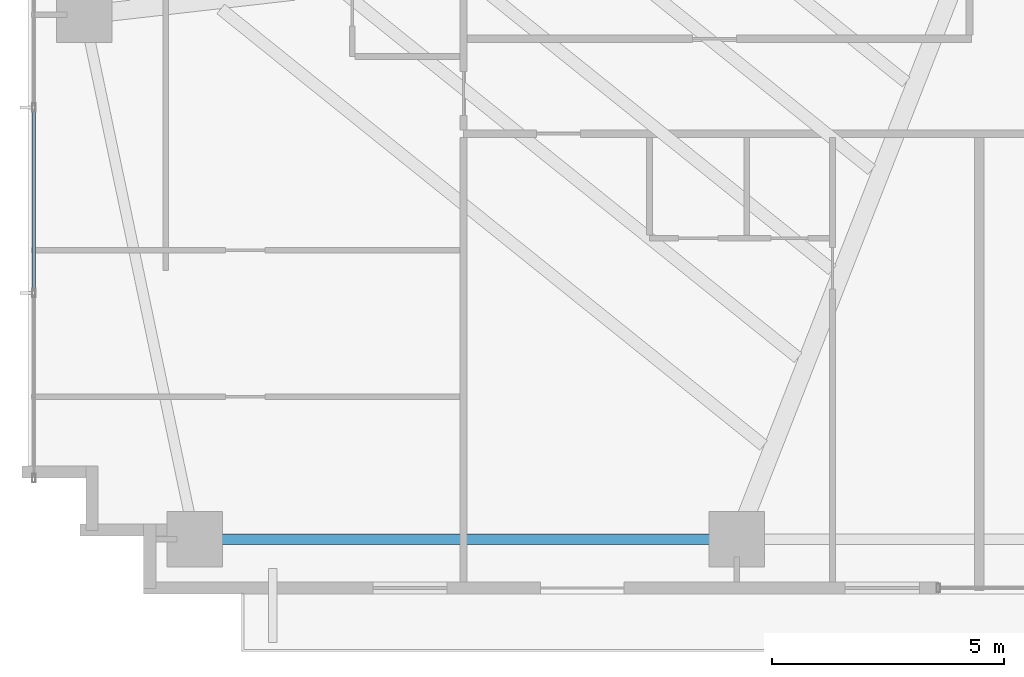
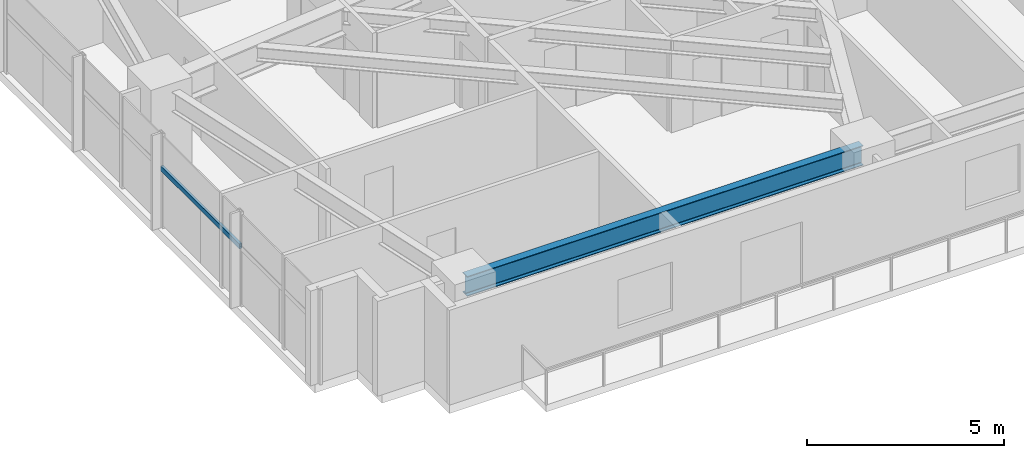
# One storey, part 3 of 25: 1 beam, 1 member, 1 element without a shape of its own.
"""IFC4 building model written with IfcOpenShell, lengths in metres."""

import ifcopenshell
import ifcopenshell.guid

model = None  # the IFC model being written
_history = None  # IfcOwnerHistory: only IFC2X3 demands one
_inside = {}  # id of a spatial element -> (the spatial element, [elements in it])
_under = {}  # id of a project, library or spatial element -> (it, [spatial elements below it])
_declared = {}  # id of a project -> (the project, [libraries it declares])
_typed = {}  # id of a type object -> (the type object, [elements of that type])
_made_of = {}  # id of a material, layer set ... -> (it, [elements and type objects made of it])


def new_model(schema):
    """Start an empty IFC model of exactly this schema.

    Asked for "IFC4X3", IfcOpenShell would pick the latest addendum, in which some entities
    have other attributes; the version numbers below select the first issue.
    IFC2X3 requires an IfcOwnerHistory on every rooted entity: one is made here for all.
    """
    global model, _history
    if schema == "IFC4X3":
        model = ifcopenshell.file(schema_version=(4, 3, 0, 0))
    else:
        model = ifcopenshell.file(schema=schema)
    _inside.clear()
    _under.clear()
    _declared.clear()
    _typed.clear()
    _made_of.clear()
    _history = None
    if model.schema == "IFC2X3":
        org = make("IfcOrganization", Name="unknown")
        user = make(
            "IfcPersonAndOrganization",
            ThePerson=make("IfcPerson", FamilyName="unknown"),
            TheOrganization=org,
        )
        app = make(
            "IfcApplication",
            ApplicationDeveloper=org,
            Version="unknown",
            ApplicationFullName="unknown",
            ApplicationIdentifier="unknown",
        )
        _history = make(
            "IfcOwnerHistory",
            OwningUser=user,
            OwningApplication=app,
            ChangeAction="ADDED",
            CreationDate=0,
        )
    return model


def make(cls, **values):
    """One entity of the class cls with the attributes given. An attribute that is None is left unset."""
    return model.create_entity(
        cls, **{name: value for name, value in values.items() if value is not None}
    )


def rooted(cls, **values):
    """An entity with a GlobalId (a new one), such as an element, a storey or a relation."""
    return make(cls, GlobalId=ifcopenshell.guid.new(), OwnerHistory=_history, **values)


def si_unit(unit_type, name, prefix=None):
    """IfcSIUnit, for example si_unit("LENGTHUNIT", "METRE", prefix="MILLI")."""
    return make("IfcSIUnit", UnitType=unit_type, Prefix=prefix, Name=name)


def assignment(units):
    """IfcUnitAssignment: the units of a project."""
    return None if units is None else make("IfcUnitAssignment", Units=units)


def point(xyz):
    """IfcCartesianPoint."""
    return None if xyz is None else make("IfcCartesianPoint", Coordinates=xyz)


def direction(xyz):
    """IfcDirection."""
    return None if xyz is None else make("IfcDirection", DirectionRatios=xyz)


def frame(location, z_axis=None, x_axis=None):
    """IfcAxis2Placement3D, a coordinate frame: its origin and axes. An axis left out is left unset."""
    return make(
        "IfcAxis2Placement3D",
        Location=point(location),
        Axis=direction(z_axis),
        RefDirection=direction(x_axis),
    )


def frame_2d(location, x_axis=None):
    """IfcAxis2Placement2D, a coordinate frame in the plane: its origin and x axis."""
    return make(
        "IfcAxis2Placement2D", Location=point(location), RefDirection=direction(x_axis)
    )


def origin():
    """The frame at (0, 0, 0) with its axes left unset."""
    return frame((0.0, 0.0, 0.0))


def origin_2d():
    """The frame at (0, 0) in the plane with its x axis left unset."""
    return frame_2d((0.0, 0.0))


def place(relative_to, where):
    """IfcLocalPlacement: puts the frame where relative to a parent placement (None: the world)."""
    return make(
        "IfcLocalPlacement", PlacementRelTo=relative_to, RelativePlacement=where
    )


def context(
    kind, dimensions, precision=None, world=None, true_north=None, identifier=None
):
    """IfcGeometricRepresentationContext, for example the 3D "Model" context."""
    return make(
        "IfcGeometricRepresentationContext",
        ContextIdentifier=identifier,
        ContextType=kind,
        CoordinateSpaceDimension=dimensions,
        Precision=precision,
        WorldCoordinateSystem=world,
        TrueNorth=true_north,
    )


def subcontext(parent, identifier, kind, view, scale=None):
    """IfcGeometricRepresentationSubContext, for example "Body" below "Model"."""
    return make(
        "IfcGeometricRepresentationSubContext",
        ContextIdentifier=identifier,
        ContextType=kind,
        ParentContext=parent,
        TargetScale=scale,
        TargetView=view,
    )


def project(units=None, contexts=None):
    """IfcProject with its units and contexts."""
    return rooted(
        "IfcProject",
        Name="project",
        RepresentationContexts=contexts,
        UnitsInContext=assignment(units),
    )


def spatial(cls, under=None, at=None, **own):
    """A site, building, storey or space (cls), placed at a placement, below another one or the project."""
    s = rooted(cls, ObjectPlacement=at, **own)
    if under is not None:
        _under.setdefault(under.id(), (under, []))[1].append(s)
    return s


def profile(cls, at=None, kind="AREA", **sizes):
    """A parametric profile (cls). Its sizes go by their IFC names, for example OverallWidth=200.0."""
    return make(cls, ProfileType=kind, Position=at, **sizes)


def hollow_rectangle(**sizes):
    """IfcRectangleHollowProfileDef."""
    return profile("IfcRectangleHollowProfileDef", **sizes)


def i_section(**sizes):
    """IfcIShapeProfileDef."""
    return profile("IfcIShapeProfileDef", **sizes)


def extrude(swept, where, along, depth):
    """IfcExtrudedAreaSolid: the profile swept, set in the frame where, extruded along a direction by depth."""
    return make(
        "IfcExtrudedAreaSolid",
        SweptArea=swept,
        Position=where,
        ExtrudedDirection=direction(along),
        Depth=depth,
    )


def shape(context_of_items, identifier, shape_type, items):
    """IfcShapeRepresentation: the items that make up one representation, for example the "Body"."""
    return make(
        "IfcShapeRepresentation",
        ContextOfItems=context_of_items,
        RepresentationIdentifier=identifier,
        RepresentationType=shape_type,
        Items=items,
    )


def source(mapping_origin, context_of_items, identifier, shape_type, items):
    """IfcRepresentationMap: a shape defined once, which mapped items show again and again."""
    return make(
        "IfcRepresentationMap",
        MappingOrigin=mapping_origin,
        MappedRepresentation=shape(context_of_items, identifier, shape_type, items),
    )


def transform(
    local_origin,
    x_axis=None,
    y_axis=None,
    z_axis=None,
    scale=None,
    scale2=None,
    scale3=None,
    uniform=True,
):
    """IfcCartesianTransformationOperator3D, or its non-uniform kind. x_axis, y_axis, z_axis: its Axis1, 2, 3."""
    if uniform:
        return make(
            "IfcCartesianTransformationOperator3D",
            Axis1=direction(x_axis),
            Axis2=direction(y_axis),
            LocalOrigin=point(local_origin),
            Scale=scale,
            Axis3=direction(z_axis),
        )
    return make(
        "IfcCartesianTransformationOperator3DnonUniform",
        Axis1=direction(x_axis),
        Axis2=direction(y_axis),
        LocalOrigin=point(local_origin),
        Scale=scale,
        Axis3=direction(z_axis),
        Scale2=scale2,
        Scale3=scale3,
    )


def mapped(mapping_source, mapping_target):
    """IfcMappedItem: shows the shape of a source again, moved by a transform."""
    return make(
        "IfcMappedItem", MappingSource=mapping_source, MappingTarget=mapping_target
    )


def material(Name=None, Category=None):
    """IfcMaterial."""
    return make("IfcMaterial", Name=Name, Category=Category)


def material_profile(
    of_material, cross_section, Name=None, Category=None, Priority=None
):
    """IfcMaterialProfile: a cross section and its material."""
    return make(
        "IfcMaterialProfile",
        Name=Name,
        Material=of_material,
        Profile=cross_section,
        Priority=Priority,
        Category=Category,
    )


def profile_set(profiles, Name=None, composite=None):
    """IfcMaterialProfileSet."""
    return make(
        "IfcMaterialProfileSet",
        Name=Name,
        MaterialProfiles=profiles,
        CompositeProfile=composite,
    )


def made_of(thing, what):
    """Note that an element or type object is made of a material, layer set ...; save() writes the relation."""
    if what is not None:
        _made_of.setdefault(what.id(), (what, []))[1].append(thing)
    return thing


def type_object(cls, material=None, **own):
    """A type object (cls), such as IfcWallType, which elements share."""
    return made_of(rooted(cls, **own), material)


def type_shapes(of_type, sources):
    """Give a type object the sources (RepresentationMaps) that its elements show as mapped items."""
    of_type.RepresentationMaps = sources


def element(
    cls,
    number,
    at=None,
    inside=None,
    cuts=None,
    type_object=None,
    material=None,
    context=None,
    identifier="Body",
    shape_type=None,
    held_by="IfcProductDefinitionShape",
    body=None,
    shapes=None,
    **own,
):
    """One element of the class cls, such as IfcWall. Its Tag is "e" and its number.

    at: its placement. inside: the storey or other place that contains it. cuts: it is an
    opening in that element (IfcRelVoidsElement). A single representation is given by context,
    identifier, shape_type and body (its items); several are given by shapes. held_by: the class
    of the entity that holds the representations. save() writes the other relations.
    """
    e = rooted(cls, Tag="e%d" % number, ObjectPlacement=at, **own)
    if body is not None:
        shapes = [shape(context, identifier, shape_type, body)]
    if shapes is not None:
        e.Representation = make(held_by, Representations=shapes)
    if inside is not None:
        _inside.setdefault(inside.id(), (inside, []))[1].append(e)
    if cuts is not None:
        rooted(
            "IfcRelVoidsElement", RelatingBuildingElement=cuts, RelatedOpeningElement=e
        )
    if type_object is not None:
        _typed.setdefault(type_object.id(), (type_object, []))[1].append(e)
    return made_of(e, material)


def aggregate(whole, parts):
    """IfcRelAggregates: a whole, such as a stair, and the parts it consists of."""
    return rooted("IfcRelAggregates", RelatingObject=whole, RelatedObjects=parts)


def save(model, path):
    """Write the relations noted so far, then the file.

    IfcRelAggregates (storeys below a building ...), IfcRelContainedInSpatialStructure (elements
    in a storey), IfcRelDefinesByType, IfcRelAssociatesMaterial and IfcRelDeclares: one each for
    every whole, place, type object, material and project.
    """
    for whole, parts in _under.values():
        aggregate(whole, parts)
    for where, things in _inside.values():
        rooted(
            "IfcRelContainedInSpatialStructure",
            RelatedElements=things,
            RelatingStructure=where,
        )
    for kind, things in _typed.values():
        rooted("IfcRelDefinesByType", RelatedObjects=things, RelatingType=kind)
    for what, things in _made_of.values():
        rooted("IfcRelAssociatesMaterial", RelatedObjects=things, RelatingMaterial=what)
    for by, libraries in _declared.values():
        rooted("IfcRelDeclares", RelatingContext=by, RelatedDefinitions=libraries)
    model.write(path)


model = new_model("IFC4")

# Units and contexts
model_context = context("Model", 3, precision=1e-05, world=origin(), true_north=direction((0.0, 1.0)))
body_context = subcontext(model_context, "Body", "Model", "MODEL_VIEW")
ifc_project = project(units=[si_unit("LENGTHUNIT", "METRE"), si_unit("AREAUNIT", "SQUARE_METRE"), si_unit("VOLUMEUNIT", "CUBIC_METRE"), si_unit("PLANEANGLEUNIT", "RADIAN"), si_unit("MASSUNIT", "GRAM", prefix="KILO")], contexts=[model_context])

# Site, building, storey
site_placement = place(None, origin())
site = spatial("IfcSite", under=ifc_project, at=site_placement, CompositionType="ELEMENT")
building_placement = place(site_placement, origin())
building = spatial("IfcBuilding", under=site, at=building_placement, Name="Astriad Promenade Condominiums", CompositionType="ELEMENT")
storey_placement = place(building_placement, frame((0.0, 0.0, 45.39990234375)))
storey = spatial("IfcBuildingStorey", under=building, at=storey_placement, Name="L12", CompositionType="ELEMENT", Elevation=45.39990234375)

# Beam
ifc_material_1 = material(Name="Steel ASTM A992 Grade 50", Category="steel")
ifc_material_profile_1 = material_profile(ifc_material_1, i_section(OverallWidth=0.22900390625, OverallDepth=0.612060546875, WebThickness=0.011962890625, FlangeThickness=0.01953125, FilletRadius=0.017822265625, at=origin_2d()), Name="W24X84")
ifc_profile_set_1 = profile_set([ifc_material_profile_1], Name="Steel ASTM A992 Grade 50")
beam_type = type_object("IfcBeamType", Name="STEEL SPANDREL BEAM W24X84", PredefinedType="SPANDREL", material=ifc_profile_set_1)
shared_shape_1 = source(origin(), body_context, "Body", "SweptSolid", [
    extrude(i_section(OverallWidth=0.22900390625, OverallDepth=0.612060546875, WebThickness=0.011962890625, FlangeThickness=0.01953125, FilletRadius=0.017822265625, at=origin_2d()), origin(), (0.0, 0.0, 1.0), 11.6201171875),
])
type_shapes(beam_type, [shared_shape_1])
beam_placement = place(storey_placement, frame((9.43994140625, 3.8798828125, 2.634033203125), z_axis=(1.0, 0.0, 0.0), x_axis=(0.0, 1.0, 0.0)))
element("IfcBeam", 1, at=beam_placement, inside=storey, type_object=beam_type, Name="Perimeter Spandrel Beam SP-S1-L12", PredefinedType="SPANDREL", context=body_context, shape_type="MappedRepresentation", body=[
    mapped(shared_shape_1, transform((0.0, 0.0, 0.0), scale=1.0)),
])

# Curtain wall, member
ifc_material_2 = material(Name="Anodised aluminium Black Dark Glass Unitised", Category="aluminium")
curtain_wall_type = type_object("IfcCurtainWallType", Name="CW-B1-DARK", PredefinedType="USERDEFINED", material=ifc_material_2)
curtain_wall_placement = place(storey_placement, origin())
curtain_wall = element("IfcCurtainWall", 2, at=curtain_wall_placement, inside=storey, type_object=curtain_wall_type, Name="CW-L12-W", ObjectType="UNITISED_CURTAIN_WALL", PredefinedType="USERDEFINED")
ifc_material_3 = material(Name="Anodised aluminium 6063-T6 Black", Category="aluminium")
ifc_material_profile_2 = material_profile(ifc_material_3, hollow_rectangle(XDim=0.074951171875, YDim=0.14990234375, WallThickness=0.004150390625, at=origin_2d()), Name="ALU-TRN-75X150")
ifc_profile_set_2 = profile_set([ifc_material_profile_2], Name="Anodised aluminium 6063-T6 Black")
member_type = type_object("IfcMemberType", Name="TRN-ALU-TRN-75X150", PredefinedType="USERDEFINED", material=ifc_profile_set_2)
shared_shape_2 = source(origin(), body_context, "Body", "SweptSolid", [
    extrude(hollow_rectangle(XDim=0.074951171875, YDim=0.14990234375, WallThickness=0.004150390625, at=origin_2d()), origin(), (0.0, 0.0, 1.0), 4.0),
])
type_shapes(member_type, [shared_shape_2])
member_placement = place(storey_placement, frame((5.929931640625, 9.199951171875, 1.822998046875), z_axis=(0.0, 1.0, 0.0), x_axis=(-1.0, 0.0, 0.0)))
member = element("IfcMember", 3, at=member_placement, type_object=member_type, Name="CW-L12-W-TRN-01-0", ObjectType="TRANSOM", PredefinedType="USERDEFINED", context=body_context, shape_type="MappedRepresentation", body=[
    mapped(shared_shape_2, transform((0.0, 0.0, 0.0), scale=1.0)),
])
aggregate(curtain_wall, [member])

save(model, "model.ifc")
